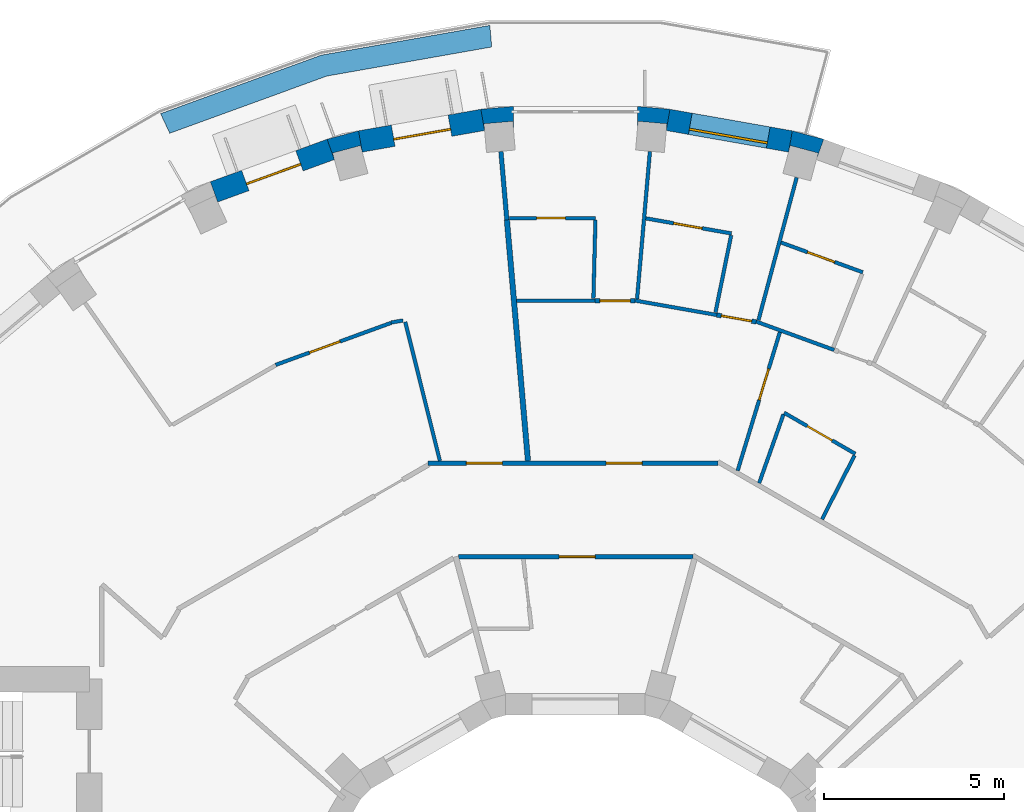
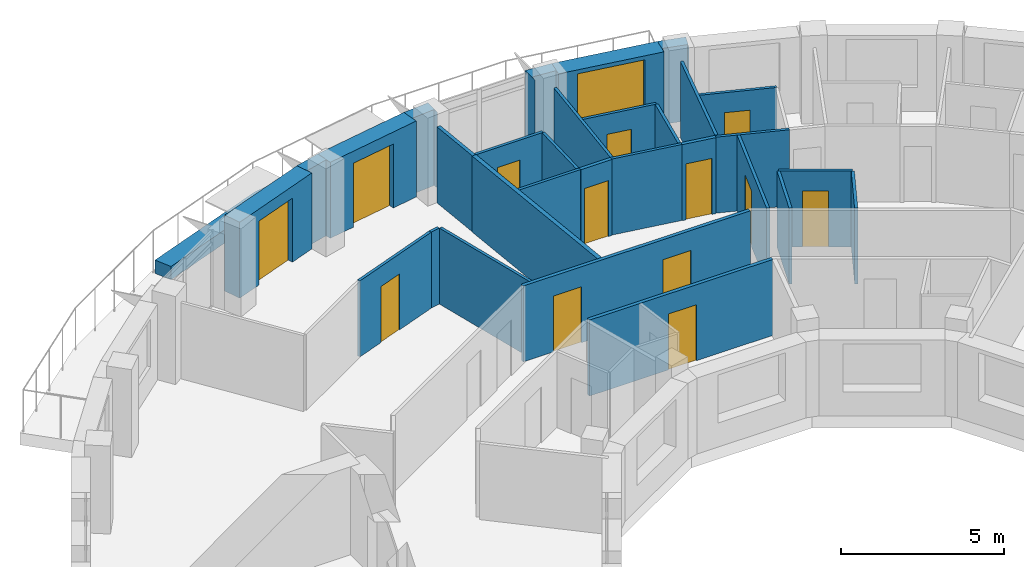
# One storey, part 11 of 14: 31 walls, 13 doors, 1 window, 14 openings.
"""IFC4 building model written with IfcOpenShell, lengths in metres."""

import ifcopenshell
import ifcopenshell.guid

model = None  # the IFC model being written
_history = None  # IfcOwnerHistory: only IFC2X3 demands one
_inside = {}  # id of a spatial element -> (the spatial element, [elements in it])
_under = {}  # id of a project, library or spatial element -> (it, [spatial elements below it])
_declared = {}  # id of a project -> (the project, [libraries it declares])
_typed = {}  # id of a type object -> (the type object, [elements of that type])
_made_of = {}  # id of a material, layer set ... -> (it, [elements and type objects made of it])


def new_model(schema):
    """Start an empty IFC model of exactly this schema.

    Asked for "IFC4X3", IfcOpenShell would pick the latest addendum, in which some entities
    have other attributes; the version numbers below select the first issue.
    IFC2X3 requires an IfcOwnerHistory on every rooted entity: one is made here for all.
    """
    global model, _history
    if schema == "IFC4X3":
        model = ifcopenshell.file(schema_version=(4, 3, 0, 0))
    else:
        model = ifcopenshell.file(schema=schema)
    _inside.clear()
    _under.clear()
    _declared.clear()
    _typed.clear()
    _made_of.clear()
    _history = None
    if model.schema == "IFC2X3":
        org = make("IfcOrganization", Name="unknown")
        user = make(
            "IfcPersonAndOrganization",
            ThePerson=make("IfcPerson", FamilyName="unknown"),
            TheOrganization=org,
        )
        app = make(
            "IfcApplication",
            ApplicationDeveloper=org,
            Version="unknown",
            ApplicationFullName="unknown",
            ApplicationIdentifier="unknown",
        )
        _history = make(
            "IfcOwnerHistory",
            OwningUser=user,
            OwningApplication=app,
            ChangeAction="ADDED",
            CreationDate=0,
        )
    return model


def make(cls, **values):
    """One entity of the class cls with the attributes given. An attribute that is None is left unset."""
    return model.create_entity(
        cls, **{name: value for name, value in values.items() if value is not None}
    )


def rooted(cls, **values):
    """An entity with a GlobalId (a new one), such as an element, a storey or a relation."""
    return make(cls, GlobalId=ifcopenshell.guid.new(), OwnerHistory=_history, **values)


def si_unit(unit_type, name, prefix=None):
    """IfcSIUnit, for example si_unit("LENGTHUNIT", "METRE", prefix="MILLI")."""
    return make("IfcSIUnit", UnitType=unit_type, Prefix=prefix, Name=name)


def assignment(units):
    """IfcUnitAssignment: the units of a project."""
    return None if units is None else make("IfcUnitAssignment", Units=units)


def point(xyz):
    """IfcCartesianPoint."""
    return None if xyz is None else make("IfcCartesianPoint", Coordinates=xyz)


def direction(xyz):
    """IfcDirection."""
    return None if xyz is None else make("IfcDirection", DirectionRatios=xyz)


def frame(location, z_axis=None, x_axis=None):
    """IfcAxis2Placement3D, a coordinate frame: its origin and axes. An axis left out is left unset."""
    return make(
        "IfcAxis2Placement3D",
        Location=point(location),
        Axis=direction(z_axis),
        RefDirection=direction(x_axis),
    )


def frame_2d(location, x_axis=None):
    """IfcAxis2Placement2D, a coordinate frame in the plane: its origin and x axis."""
    return make(
        "IfcAxis2Placement2D", Location=point(location), RefDirection=direction(x_axis)
    )


def origin():
    """The frame at (0, 0, 0) with its axes left unset."""
    return frame((0.0, 0.0, 0.0))


def place(relative_to, where):
    """IfcLocalPlacement: puts the frame where relative to a parent placement (None: the world)."""
    return make(
        "IfcLocalPlacement", PlacementRelTo=relative_to, RelativePlacement=where
    )


def context(
    kind, dimensions, precision=None, world=None, true_north=None, identifier=None
):
    """IfcGeometricRepresentationContext, for example the 3D "Model" context."""
    return make(
        "IfcGeometricRepresentationContext",
        ContextIdentifier=identifier,
        ContextType=kind,
        CoordinateSpaceDimension=dimensions,
        Precision=precision,
        WorldCoordinateSystem=world,
        TrueNorth=true_north,
    )


def subcontext(parent, identifier, kind, view, scale=None):
    """IfcGeometricRepresentationSubContext, for example "Body" below "Model"."""
    return make(
        "IfcGeometricRepresentationSubContext",
        ContextIdentifier=identifier,
        ContextType=kind,
        ParentContext=parent,
        TargetScale=scale,
        TargetView=view,
    )


def project(units=None, contexts=None):
    """IfcProject with its units and contexts."""
    return rooted(
        "IfcProject",
        Name="project",
        RepresentationContexts=contexts,
        UnitsInContext=assignment(units),
    )


def spatial(cls, under=None, at=None, **own):
    """A site, building, storey or space (cls), placed at a placement, below another one or the project."""
    s = rooted(cls, ObjectPlacement=at, **own)
    if under is not None:
        _under.setdefault(under.id(), (under, []))[1].append(s)
    return s


def polyline(points):
    """IfcPolyline through the points."""
    return make("IfcPolyline", Points=[point(p) for p in points])


def profile(cls, at=None, kind="AREA", **sizes):
    """A parametric profile (cls). Its sizes go by their IFC names, for example OverallWidth=200.0."""
    return make(cls, ProfileType=kind, Position=at, **sizes)


def rectangle(**sizes):
    """IfcRectangleProfileDef."""
    return profile("IfcRectangleProfileDef", **sizes)


def outline(outer, holes=None, kind="AREA"):
    """IfcArbitraryClosedProfileDef: a profile drawn as a closed curve; with holes, ...WithVoids."""
    if holes is None:
        return make("IfcArbitraryClosedProfileDef", ProfileType=kind, OuterCurve=outer)
    return make(
        "IfcArbitraryProfileDefWithVoids",
        ProfileType=kind,
        OuterCurve=outer,
        InnerCurves=holes,
    )


def extrude(swept, where, along, depth):
    """IfcExtrudedAreaSolid: the profile swept, set in the frame where, extruded along a direction by depth."""
    return make(
        "IfcExtrudedAreaSolid",
        SweptArea=swept,
        Position=where,
        ExtrudedDirection=direction(along),
        Depth=depth,
    )


def shape(context_of_items, identifier, shape_type, items):
    """IfcShapeRepresentation: the items that make up one representation, for example the "Body"."""
    return make(
        "IfcShapeRepresentation",
        ContextOfItems=context_of_items,
        RepresentationIdentifier=identifier,
        RepresentationType=shape_type,
        Items=items,
    )


def material(Name=None, Category=None):
    """IfcMaterial."""
    return make("IfcMaterial", Name=Name, Category=Category)


def layer(
    of_material, thickness, ventilated=None, Name=None, Category=None, Priority=None
):
    """IfcMaterialLayer: one layer of a wall or slab, of a material (None: an air gap)."""
    return make(
        "IfcMaterialLayer",
        Material=of_material,
        LayerThickness=thickness,
        IsVentilated=ventilated,
        Name=Name,
        Category=Category,
        Priority=Priority,
    )


def layer_set(layers, Name=None):
    """IfcMaterialLayerSet."""
    return make("IfcMaterialLayerSet", MaterialLayers=layers, LayerSetName=Name)


def made_of(thing, what):
    """Note that an element or type object is made of a material, layer set ...; save() writes the relation."""
    if what is not None:
        _made_of.setdefault(what.id(), (what, []))[1].append(thing)
    return thing


def type_object(cls, material=None, **own):
    """A type object (cls), such as IfcWallType, which elements share."""
    return made_of(rooted(cls, **own), material)


def element(
    cls,
    number,
    at=None,
    inside=None,
    cuts=None,
    type_object=None,
    material=None,
    context=None,
    identifier="Body",
    shape_type=None,
    held_by="IfcProductDefinitionShape",
    body=None,
    shapes=None,
    **own,
):
    """One element of the class cls, such as IfcWall. Its Tag is "e" and its number.

    at: its placement. inside: the storey or other place that contains it. cuts: it is an
    opening in that element (IfcRelVoidsElement). A single representation is given by context,
    identifier, shape_type and body (its items); several are given by shapes. held_by: the class
    of the entity that holds the representations. save() writes the other relations.
    """
    e = rooted(cls, Tag="e%d" % number, ObjectPlacement=at, **own)
    if body is not None:
        shapes = [shape(context, identifier, shape_type, body)]
    if shapes is not None:
        e.Representation = make(held_by, Representations=shapes)
    if inside is not None:
        _inside.setdefault(inside.id(), (inside, []))[1].append(e)
    if cuts is not None:
        rooted(
            "IfcRelVoidsElement", RelatingBuildingElement=cuts, RelatedOpeningElement=e
        )
    if type_object is not None:
        _typed.setdefault(type_object.id(), (type_object, []))[1].append(e)
    return made_of(e, material)


def fill(opening, filler):
    """IfcRelFillsElement: the door or window that sits in an opening."""
    return rooted(
        "IfcRelFillsElement",
        RelatingOpeningElement=opening,
        RelatedBuildingElement=filler,
    )


def aggregate(whole, parts):
    """IfcRelAggregates: a whole, such as a stair, and the parts it consists of."""
    return rooted("IfcRelAggregates", RelatingObject=whole, RelatedObjects=parts)


def save(model, path):
    """Write the relations noted so far, then the file.

    IfcRelAggregates (storeys below a building ...), IfcRelContainedInSpatialStructure (elements
    in a storey), IfcRelDefinesByType, IfcRelAssociatesMaterial and IfcRelDeclares: one each for
    every whole, place, type object, material and project.
    """
    for whole, parts in _under.values():
        aggregate(whole, parts)
    for where, things in _inside.values():
        rooted(
            "IfcRelContainedInSpatialStructure",
            RelatedElements=things,
            RelatingStructure=where,
        )
    for kind, things in _typed.values():
        rooted("IfcRelDefinesByType", RelatedObjects=things, RelatingType=kind)
    for what, things in _made_of.values():
        rooted("IfcRelAssociatesMaterial", RelatedObjects=things, RelatingMaterial=what)
    for by, libraries in _declared.values():
        rooted("IfcRelDeclares", RelatingContext=by, RelatedDefinitions=libraries)
    model.write(path)


model = new_model("IFC4")

# Units and contexts
model_context = context("Model", 3, precision=1e-05, world=origin(), true_north=direction((0.0, 1.0)))
body_context = subcontext(model_context, "Body", "Model", "MODEL_VIEW")
ifc_project = project(units=[si_unit("LENGTHUNIT", "METRE"), si_unit("AREAUNIT", "SQUARE_METRE"), si_unit("VOLUMEUNIT", "CUBIC_METRE"), si_unit("PLANEANGLEUNIT", "RADIAN"), si_unit("MASSUNIT", "GRAM", prefix="KILO")], contexts=[model_context])

# Site, building, storey
site_placement = place(None, origin())
site = spatial("IfcSite", under=ifc_project, at=site_placement, CompositionType="ELEMENT")
building_placement = place(site_placement, origin())
building = spatial("IfcBuilding", under=site, at=building_placement, Name="Saqina Gate Tower", CompositionType="ELEMENT")
storey_placement = place(building_placement, frame((0.0, 0.0, 213.60009765625)))
storey = spatial("IfcBuildingStorey", under=building, at=storey_placement, Name="L61", CompositionType="ELEMENT", Elevation=213.60009765625)

# Walls
ifc_material_1 = material(Name="Brick masonry (buff)", Category="masonry")
wall_type_1 = type_object("IfcWallType", Name="BRICK PIER COPING BUFF", PredefinedType="SOLIDWALL", material=ifc_material_1)
wall_1_placement = place(storey_placement, origin())
element("IfcWall", 1, at=wall_1_placement, inside=storey, type_object=wall_type_1, Name="Pier cap L61 column 8", PredefinedType="SOLIDWALL", context=body_context, shape_type="SweptSolid", body=[
    extrude(outline(polyline([(6.0234375, 24.22705078125), (5.919189453125, 23.635986328125), (5.967529296875, 23.81689453125), (6.740478515625, 23.610107421875), (6.69189453125, 23.428955078125), (6.897216796875, 23.992919921875), (6.0234375, 24.22705078125)])), origin(), (0.0, 0.0, 1.0), 2.849853515625),
])
wall_2_placement = place(storey_placement, origin())
element("IfcWall", 2, at=wall_2_placement, inside=storey, type_object=wall_type_1, Name="Pier cap L61 column 9", PredefinedType="SOLIDWALL", context=body_context, shape_type="SweptSolid", body=[
    extrude(outline(polyline([(2.6259765625, 24.825927734375), (1.724853515625, 24.90478515625), (1.724853515625, 24.304931640625), (1.7412109375, 24.491455078125), (2.5380859375, 24.421630859375), (2.521728515625, 24.235107421875), (2.6259765625, 24.825927734375)])), origin(), (0.0, 0.0, 1.0), 2.849853515625),
])
wall_3_placement = place(storey_placement, origin())
element("IfcWall", 3, at=wall_3_placement, inside=storey, type_object=wall_type_1, Name="Pier cap L61 column 10", PredefinedType="SOLIDWALL", context=body_context, shape_type="SweptSolid", body=[
    extrude(outline(polyline([(-1.724853515625, 24.90478515625), (-2.6259765625, 24.825927734375), (-2.521728515625, 24.235107421875), (-2.5380859375, 24.421630859375), (-1.7412109375, 24.491455078125), (-1.724853515625, 24.304931640625), (-1.724853515625, 24.90478515625)])), origin(), (0.0, 0.0, 1.0), 2.849853515625),
])
wall_4_placement = place(storey_placement, origin())
element("IfcWall", 4, at=wall_4_placement, inside=storey, type_object=wall_type_1, Name="Pier cap L61 column 11", PredefinedType="SOLIDWALL", context=body_context, shape_type="SweptSolid", body=[
    extrude(outline(polyline([(-6.0234375, 24.22705078125), (-6.897216796875, 23.992919921875), (-6.69189453125, 23.428955078125), (-6.740478515625, 23.610107421875), (-5.967529296875, 23.81689453125), (-5.919189453125, 23.635986328125), (-6.0234375, 24.22705078125)])), origin(), (0.0, 0.0, 1.0), 2.849853515625),
])

# Wall, opening, window
ifc_material_2 = material(Name="Brick masonry (buff)", Category="masonry")
ifc_layer_1 = layer(ifc_material_2, 0.60009765625)
ifc_layer_set_1 = layer_set([ifc_layer_1], Name="FW-BRICK-BUFF")
wall_type_2 = type_object("IfcWallType", Name="FW-BRICK-BUFF", PredefinedType="SOLIDWALL", material=ifc_layer_set_1)
wall_5_placement = place(storey_placement, frame((5.97119140625, 23.931640625, 0.0), z_axis=(0.0, 0.0, 1.0), x_axis=(-0.984814892183, 0.173607684551, 0.0)))
wall_5 = element("IfcWall", 5, at=wall_5_placement, inside=storey, type_object=wall_type_2, Name="Facade wall L61 facet 8", PredefinedType="SOLIDWALL", context=body_context, shape_type="SweptSolid", body=[
    extrude(rectangle(XDim=3.44970703125, YDim=0.60009765625, at=frame_2d((1.724853515625, 0.0))), origin(), (0.0, 0.0, 1.0), 2.849853515625),
])
opening_1_placement = place(wall_5_placement, frame((0.625, 0.0, 0.89990234375)))
opening_1 = element("IfcOpeningElement", 6, at=opening_1_placement, cuts=wall_5, Name="Opening G18-W06", PredefinedType="OPENING", context=body_context, shape_type="SweptSolid", body=[
    extrude(rectangle(XDim=2.199951171875, YDim=1.800048828125, at=frame_2d((1.10009765625, 0.89990234375))), frame((0.0, 0.31201171875, 0.0), z_axis=(0.0, -1.0, 0.0), x_axis=(1.0, 0.0, 0.0)), (0.0, 0.0, 1.0), 0.6240234375),
])
ifc_material_3 = material(Name="Aluminium glazing", Category="aluminium")
window_type = type_object("IfcWindowType", Name="WN-C", PartitioningType="SINGLE_PANEL", PredefinedType="WINDOW", material=ifc_material_3)
window_placement = place(opening_1_placement, origin())
window = element("IfcWindow", 7, at=window_placement, inside=storey, type_object=window_type, Name="Window L61 facet 8", OverallHeight=1.800048828125, OverallWidth=2.199951171875, PartitioningType="SINGLE_PANEL", PredefinedType="WINDOW", context=body_context, shape_type="SweptSolid", body=[
    extrude(rectangle(XDim=2.199951171875, YDim=1.800048828125, at=frame_2d((1.10009765625, 0.89990234375))), frame((0.0, 0.179931640625, 0.0), z_axis=(0.0, -1.0, 0.0), x_axis=(1.0, 0.0, 0.0)), (0.0, 0.0, 1.0), 0.06005859375),
])
fill(opening_1, window)

# Wall, opening, door
wall_6_placement = place(storey_placement, frame((-2.573974609375, 24.530517578125, 0.0), z_axis=(0.0, 0.0, 1.0), x_axis=(-0.984814892183, -0.173607684551, 0.0)))
wall_6 = element("IfcWall", 8, at=wall_6_placement, inside=storey, type_object=wall_type_2, Name="Facade wall L61 facet 10", PredefinedType="SOLIDWALL", context=body_context, shape_type="SweptSolid", body=[
    extrude(rectangle(XDim=3.44970703125, YDim=0.60009765625, at=frame_2d((1.724853515625, 0.0))), origin(), (0.0, 0.0, 1.0), 2.849853515625),
])
opening_2_placement = place(wall_6_placement, frame((0.9248046875, 0.0, 0.0)))
opening_2 = element("IfcOpeningElement", 9, at=opening_2_placement, cuts=wall_6, Name="Opening G18-D80", PredefinedType="OPENING", context=body_context, shape_type="SweptSolid", body=[
    extrude(rectangle(XDim=1.60009765625, YDim=2.39990234375, at=frame_2d((0.800048828125, 1.199951171875))), frame((0.0, 0.31201171875, 0.0), z_axis=(0.0, -1.0, 0.0), x_axis=(1.0, 0.0, 0.0)), (0.0, 0.0, 1.0), 0.6240234375),
])
ifc_material_4 = material(Name="Aluminium glazing", Category="aluminium")
door_type_1 = type_object("IfcDoorType", Name="GD-C", OperationType="DOUBLE_DOOR_SINGLE_SWING", PredefinedType="DOOR", material=ifc_material_4)
door_1_placement = place(opening_2_placement, origin())
door_1 = element("IfcDoor", 10, at=door_1_placement, inside=storey, type_object=door_type_1, Name="Terrace door L61 facet 10", OperationType="DOUBLE_DOOR_SINGLE_SWING", OverallHeight=2.39990234375, OverallWidth=1.60009765625, PredefinedType="DOOR", context=body_context, shape_type="SweptSolid", body=[
    extrude(rectangle(XDim=1.60009765625, YDim=2.39990234375, at=frame_2d((0.800048828125, 1.199951171875))), frame((0.0, 0.125, 0.0), z_axis=(0.0, -1.0, 0.0), x_axis=(1.0, 0.0, 0.0)), (0.0, 0.0, 1.0), 0.050048828125),
])
fill(opening_2, door_1)

wall_7_placement = place(storey_placement, frame((-6.79443359375, 23.7109375, 0.0), z_axis=(0.0, 0.0, 1.0), x_axis=(-0.93968799822, -0.342032843455, 0.0)))
wall_7 = element("IfcWall", 11, at=wall_7_placement, inside=storey, type_object=wall_type_2, Name="Facade wall L61 facet 11", PredefinedType="SOLIDWALL", context=body_context, shape_type="SweptSolid", body=[
    extrude(rectangle(XDim=3.44970703125, YDim=0.60009765625, at=frame_2d((1.724853515625, 0.0))), origin(), (0.0, 0.0, 1.0), 2.849853515625),
])
opening_3_placement = place(wall_7_placement, frame((0.9248046875, 0.0, 0.0)))
opening_3 = element("IfcOpeningElement", 12, at=opening_3_placement, cuts=wall_7, Name="Opening G18-D81", PredefinedType="OPENING", context=body_context, shape_type="SweptSolid", body=[
    extrude(rectangle(XDim=1.60009765625, YDim=2.39990234375, at=frame_2d((0.800048828125, 1.199951171875))), frame((0.0, 0.31201171875, 0.0), z_axis=(0.0, -1.0, 0.0), x_axis=(1.0, 0.0, 0.0)), (0.0, 0.0, 1.0), 0.6240234375),
])
door_2_placement = place(opening_3_placement, origin())
door_2 = element("IfcDoor", 13, at=door_2_placement, inside=storey, type_object=door_type_1, Name="Terrace door L61 facet 11", OperationType="DOUBLE_DOOR_SINGLE_SWING", OverallHeight=2.39990234375, OverallWidth=1.60009765625, PredefinedType="DOOR", context=body_context, shape_type="SweptSolid", body=[
    extrude(rectangle(XDim=1.60009765625, YDim=2.39990234375, at=frame_2d((0.800048828125, 1.199951171875))), frame((0.0, 0.125, 0.0), z_axis=(0.0, -1.0, 0.0), x_axis=(1.0, 0.0, 0.0)), (0.0, 0.0, 1.0), 0.050048828125),
])
fill(opening_3, door_2)

# Wall
ifc_material_5 = material(Name="Gypsum board on steel studs, 100 mm", Category="steel")
ifc_layer_2 = layer(ifc_material_5, 0.10009765625)
ifc_layer_set_2 = layer_set([ifc_layer_2], Name="PARTITION 100")
wall_type_3 = type_object("IfcWallType", Name="PARTITION 100", PredefinedType="PARTITIONING", material=ifc_layer_set_2)
wall_8_placement = place(storey_placement, frame((-4.726806640625, 18.92041015625, 0.0), z_axis=(0.0, 0.0, 1.0), x_axis=(0.242333473665, -0.970193015611, 0.0)))
element("IfcWall", 14, at=wall_8_placement, inside=storey, type_object=wall_type_3, Name="PARTITION PW3-04", PredefinedType="PARTITIONING", context=body_context, shape_type="SweptSolid", body=[
    extrude(rectangle(XDim=3.978515625, YDim=0.10009765625, at=frame_2d((1.9892578125, 0.0))), origin(), (0.0, 0.0, 1.0), 2.849853515625),
])

# Wall, opening, door
wall_9_placement = place(storey_placement, frame((5.795654296875, 16.39892578125, 0.0), z_axis=(0.0, 0.0, 1.0), x_axis=(0.866084140742, -0.499898250802, 0.0)))
wall_9 = element("IfcWall", 15, at=wall_9_placement, inside=storey, type_object=wall_type_3, Name="PARTITION PW3-30", PredefinedType="PARTITIONING", context=body_context, shape_type="SweptSolid", body=[
    extrude(rectangle(XDim=2.2841796875, YDim=0.10009765625, at=frame_2d((1.14208984375, 0.0))), origin(), (0.0, 0.0, 1.0), 2.849853515625),
])
opening_4_placement = place(wall_9_placement, frame((0.7412109375, 0.0, 0.0)))
opening_4 = element("IfcOpeningElement", 16, at=opening_4_placement, cuts=wall_9, Name="Opening G18-D09", PredefinedType="OPENING", context=body_context, shape_type="SweptSolid", body=[
    extrude(rectangle(XDim=0.800048828125, YDim=2.10009765625, at=frame_2d((0.39990234375, 1.050048828125))), frame((0.0, 0.06201171875, 0.0), z_axis=(0.0, -1.0, 0.0), x_axis=(1.0, 0.0, 0.0)), (0.0, 0.0, 1.0), 0.1240234375),
])
ifc_material_6 = material(Name="Timber door leaf, 800 mm", Category="wood")
door_type_2 = type_object("IfcDoorType", Name="DOOR 800 TIMBER", OperationType="SINGLE_SWING_LEFT", PredefinedType="DOOR", material=ifc_material_6)
door_3_placement = place(opening_4_placement, origin())
door_3 = element("IfcDoor", 17, at=door_3_placement, inside=storey, type_object=door_type_2, Name="DOOR G18-D09", OperationType="SINGLE_SWING_LEFT", OverallHeight=2.10009765625, OverallWidth=0.800048828125, PredefinedType="DOOR", context=body_context, shape_type="SweptSolid", body=[
    extrude(rectangle(XDim=0.800048828125, YDim=2.10009765625, at=frame_2d((0.39990234375, 1.050048828125))), frame((0.0, 0.02490234375, 0.0), z_axis=(0.0, -1.0, 0.0), x_axis=(1.0, 0.0, 0.0)), (0.0, 0.0, 1.0), 0.050048828125),
])
fill(opening_4, door_3)

# Wall
wall_10_placement = place(storey_placement, frame((5.020263671875, 18.929443359375, 0.0), z_axis=(0.0, 0.0, 1.0), x_axis=(0.939651079277, -0.342134256123, 0.0)))
element("IfcWall", 18, at=wall_10_placement, inside=storey, type_object=wall_type_3, Name="PARTITION PW3-36", PredefinedType="PARTITIONING", context=body_context, shape_type="SweptSolid", body=[
    extrude(rectangle(XDim=2.304931640625, YDim=0.10009765625, at=frame_2d((1.15234375, 0.0))), origin(), (0.0, 0.0, 1.0), 2.849853515625),
])

# Wall, opening, door
wall_11_placement = place(storey_placement, frame((5.71240234375, 21.124755859375, 0.0), z_axis=(0.0, 0.0, 1.0), x_axis=(0.939692991858, -0.342019123812, 0.0)))
wall_11 = element("IfcWall", 19, at=wall_11_placement, inside=storey, type_object=wall_type_3, Name="PARTITION PW3-37", PredefinedType="PARTITIONING", context=body_context, shape_type="SweptSolid", body=[
    extrude(rectangle(XDim=2.4140625, YDim=0.10009765625, at=frame_2d((1.20703125, 0.0))), origin(), (0.0, 0.0, 1.0), 2.849853515625),
])
opening_5_placement = place(wall_11_placement, frame((0.78173828125, 0.0, 0.0)))
opening_5 = element("IfcOpeningElement", 20, at=opening_5_placement, cuts=wall_11, Name="Opening G18-D11", PredefinedType="OPENING", context=body_context, shape_type="SweptSolid", body=[
    extrude(rectangle(XDim=0.800048828125, YDim=2.10009765625, at=frame_2d((0.39990234375, 1.050048828125))), frame((0.0, 0.06201171875, 0.0), z_axis=(0.0, -1.0, 0.0), x_axis=(1.0, 0.0, 0.0)), (0.0, 0.0, 1.0), 0.1240234375),
])
door_4_placement = place(opening_5_placement, origin())
door_4 = element("IfcDoor", 21, at=door_4_placement, inside=storey, type_object=door_type_2, Name="DOOR G18-D11", OperationType="SINGLE_SWING_LEFT", OverallHeight=2.10009765625, OverallWidth=0.800048828125, PredefinedType="DOOR", context=body_context, shape_type="SweptSolid", body=[
    extrude(rectangle(XDim=0.800048828125, YDim=2.10009765625, at=frame_2d((0.39990234375, 1.050048828125))), frame((0.0, 0.02490234375, 0.0), z_axis=(0.0, -1.0, 0.0), x_axis=(1.0, 0.0, 0.0)), (0.0, 0.0, 1.0), 0.050048828125),
])
fill(opening_5, door_4)

# Wall
wall_12_placement = place(storey_placement, frame((1.656005859375, 19.513916015625, 0.0), z_axis=(0.0, 0.0, 1.0), x_axis=(0.984783558818, -0.173785333909, 0.0)))
element("IfcWall", 22, at=wall_12_placement, inside=storey, type_object=wall_type_3, Name="PARTITION PW3-40", PredefinedType="PARTITIONING", context=body_context, shape_type="SweptSolid", body=[
    extrude(rectangle(XDim=2.305419921875, YDim=0.10009765625, at=frame_2d((1.15283203125, 0.0))), origin(), (0.0, 0.0, 1.0), 2.849853515625),
])

# Wall, opening, door
wall_13_placement = place(storey_placement, frame((1.957275390625, 21.79638671875, 0.0), z_axis=(0.0, 0.0, 1.0), x_axis=(0.984794754479, -0.173721879884, 0.0)))
wall_13 = element("IfcWall", 23, at=wall_13_placement, inside=storey, type_object=wall_type_3, Name="PARTITION PW3-41", PredefinedType="PARTITIONING", context=body_context, shape_type="SweptSolid", body=[
    extrude(rectangle(XDim=2.414306640625, YDim=0.10009765625, at=frame_2d((1.20703125, 0.0))), origin(), (0.0, 0.0, 1.0), 2.849853515625),
])
opening_6_placement = place(wall_13_placement, frame((0.7822265625, 0.0, 0.0)))
opening_6 = element("IfcOpeningElement", 24, at=opening_6_placement, cuts=wall_13, Name="Opening G18-D14", PredefinedType="OPENING", context=body_context, shape_type="SweptSolid", body=[
    extrude(rectangle(XDim=0.800048828125, YDim=2.10009765625, at=frame_2d((0.39990234375, 1.050048828125))), frame((0.0, 0.06201171875, 0.0), z_axis=(0.0, -1.0, 0.0), x_axis=(1.0, 0.0, 0.0)), (0.0, 0.0, 1.0), 0.1240234375),
])
door_5_placement = place(opening_6_placement, origin())
door_5 = element("IfcDoor", 25, at=door_5_placement, inside=storey, type_object=door_type_2, Name="DOOR G18-D14", OperationType="SINGLE_SWING_LEFT", OverallHeight=2.10009765625, OverallWidth=0.800048828125, PredefinedType="DOOR", context=body_context, shape_type="SweptSolid", body=[
    extrude(rectangle(XDim=0.800048828125, YDim=2.10009765625, at=frame_2d((0.39990234375, 1.050048828125))), frame((0.0, 0.02490234375, 0.0), z_axis=(0.0, -1.0, 0.0), x_axis=(1.0, 0.0, 0.0)), (0.0, 0.0, 1.0), 0.050048828125),
])
fill(opening_6, door_5)

# Wall
wall_14_placement = place(storey_placement, frame((-1.631103515625, 19.5048828125, 0.0), z_axis=(0.0, 0.0, 1.0), x_axis=(1.0, 0.0, 0.0)))
element("IfcWall", 26, at=wall_14_placement, inside=storey, type_object=wall_type_3, Name="PARTITION PW3-46", PredefinedType="PARTITIONING", context=body_context, shape_type="SweptSolid", body=[
    extrude(rectangle(XDim=2.17919921875, YDim=0.10009765625, at=frame_2d((1.089599609375, 0.0))), origin(), (0.0, 0.0, 1.0), 2.849853515625),
])

# Wall, opening, door
wall_15_placement = place(storey_placement, frame((-1.8330078125, 21.804931640625, 0.0), z_axis=(0.0, 0.0, 1.0), x_axis=(1.0, 0.0, 0.0)))
wall_15 = element("IfcWall", 27, at=wall_15_placement, inside=storey, type_object=wall_type_3, Name="PARTITION PW3-47", PredefinedType="PARTITIONING", context=body_context, shape_type="SweptSolid", body=[
    extrude(rectangle(XDim=2.389892578125, YDim=0.10009765625, at=frame_2d((1.19482421875, 0.0))), origin(), (0.0, 0.0, 1.0), 2.849853515625),
])
opening_7_placement = place(wall_15_placement, frame((0.757568359375, 0.0, 0.0)))
opening_7 = element("IfcOpeningElement", 28, at=opening_7_placement, cuts=wall_15, Name="Opening G18-D18", PredefinedType="OPENING", context=body_context, shape_type="SweptSolid", body=[
    extrude(rectangle(XDim=0.800048828125, YDim=2.10009765625, at=frame_2d((0.39990234375, 1.050048828125))), frame((0.0, 0.06201171875, 0.0), z_axis=(0.0, -1.0, 0.0), x_axis=(1.0, 0.0, 0.0)), (0.0, 0.0, 1.0), 0.1240234375),
])
door_6_placement = place(opening_7_placement, origin())
door_6 = element("IfcDoor", 29, at=door_6_placement, inside=storey, type_object=door_type_2, Name="DOOR G18-D18", OperationType="SINGLE_SWING_LEFT", OverallHeight=2.10009765625, OverallWidth=0.800048828125, PredefinedType="DOOR", context=body_context, shape_type="SweptSolid", body=[
    extrude(rectangle(XDim=0.800048828125, YDim=2.10009765625, at=frame_2d((0.39990234375, 1.050048828125))), frame((0.0, 0.02490234375, 0.0), z_axis=(0.0, -1.0, 0.0), x_axis=(1.0, 0.0, 0.0)), (0.0, 0.0, 1.0), 0.050048828125),
])
fill(opening_7, door_6)

# Wall
wall_16_placement = place(storey_placement, frame((-5.117919921875, 18.903076171875, 0.0), z_axis=(0.0, 0.0, 1.0), x_axis=(0.984687952064, 0.174326237439, 0.0)))
element("IfcWall", 30, at=wall_16_placement, inside=storey, type_object=wall_type_3, Name="PARTITION PW3-49", PredefinedType="PARTITIONING", context=body_context, shape_type="SweptSolid", body=[
    extrude(rectangle(XDim=0.334716796875, YDim=0.10009765625, at=frame_2d((0.16748046875, 0.0))), origin(), (0.0, 0.0, 1.0), 2.849853515625),
])

# Wall, opening, door
wall_17_placement = place(storey_placement, frame((-8.32470703125, 17.7265625, 0.0), z_axis=(0.0, 0.0, 1.0), x_axis=(0.939672327812, 0.342075892668, 0.0)))
wall_17 = element("IfcWall", 31, at=wall_17_placement, inside=storey, type_object=wall_type_3, Name="PARTITION PW3-52", PredefinedType="PARTITIONING", context=body_context, shape_type="SweptSolid", body=[
    extrude(rectangle(XDim=3.415771484375, YDim=0.10009765625, at=frame_2d((1.7080078125, 0.0))), origin(), (0.0, 0.0, 1.0), 2.849853515625),
])
opening_8_placement = place(wall_17_placement, frame((1.00390625, 0.0, 0.0)))
opening_8 = element("IfcOpeningElement", 32, at=opening_8_placement, cuts=wall_17, Name="Opening G18-D22", PredefinedType="OPENING", context=body_context, shape_type="SweptSolid", body=[
    extrude(rectangle(XDim=0.89990234375, YDim=2.10009765625, at=frame_2d((0.449951171875, 1.050048828125))), frame((0.0, 0.06201171875, 0.0), z_axis=(0.0, -1.0, 0.0), x_axis=(1.0, 0.0, 0.0)), (0.0, 0.0, 1.0), 0.1240234375),
])
ifc_material_7 = material(Name="Timber door leaf, 900 mm", Category="wood")
door_type_3 = type_object("IfcDoorType", Name="DOOR 900 TIMBER", OperationType="SINGLE_SWING_LEFT", PredefinedType="DOOR", material=ifc_material_7)
door_7_placement = place(opening_8_placement, frame((0.89990234375, 0.0, 0.0), z_axis=(0.0, 0.0, 1.0), x_axis=(-1.0, 0.0, 0.0)))
door_7 = element("IfcDoor", 33, at=door_7_placement, inside=storey, type_object=door_type_3, Name="DOOR G18-D22", OperationType="SINGLE_SWING_RIGHT", OverallHeight=2.10009765625, OverallWidth=0.89990234375, PredefinedType="DOOR", context=body_context, shape_type="SweptSolid", body=[
    extrude(rectangle(XDim=0.89990234375, YDim=2.10009765625, at=frame_2d((0.449951171875, 1.050048828125))), frame((0.0, 0.02490234375, 0.0), z_axis=(0.0, -1.0, 0.0), x_axis=(1.0, 0.0, 0.0)), (0.0, 0.0, 1.0), 0.050048828125),
])
fill(opening_8, door_7)

# Walls
wall_18_placement = place(storey_placement, frame((6.84765625, 13.439208984375, 0.0), z_axis=(0.0, 0.0, 1.0), x_axis=(0.454028802768, 0.890987006784, 0.0)))
element("IfcWall", 34, at=wall_18_placement, inside=storey, type_object=wall_type_3, Name="PARTITION PW3-77", PredefinedType="PARTITIONING", context=body_context, shape_type="SweptSolid", body=[
    extrude(rectangle(XDim=1.988037109375, YDim=0.10009765625, at=frame_2d((0.994140625, 0.0))), origin(), (0.0, 0.0, 1.0), 2.849853515625),
])
wall_19_placement = place(storey_placement, frame((5.10302734375, 14.4453125, 0.0), z_axis=(0.0, 0.0, 1.0), x_axis=(0.333281339962, 0.942827422402, 0.0)))
element("IfcWall", 35, at=wall_19_placement, inside=storey, type_object=wall_type_3, Name="PARTITION PW3-84", PredefinedType="PARTITIONING", context=body_context, shape_type="SweptSolid", body=[
    extrude(rectangle(XDim=2.02099609375, YDim=0.10009765625, at=frame_2d((1.010498046875, 0.0))), origin(), (0.0, 0.0, 1.0), 2.849853515625),
])

# Wall, opening, door
wall_20_placement = place(storey_placement, frame((4.5048828125, 14.789794921875, 0.0), z_axis=(0.0, 0.0, 1.0), x_axis=(0.291610860107, 0.956537038628, 0.0)))
wall_20 = element("IfcWall", 36, at=wall_20_placement, inside=storey, type_object=wall_type_3, Name="PARTITION PW3-85", PredefinedType="PARTITIONING", context=body_context, shape_type="SweptSolid", body=[
    extrude(rectangle(XDim=4.02197265625, YDim=0.10009765625, at=frame_2d((2.010986328125, 0.0))), origin(), (0.0, 0.0, 1.0), 2.849853515625),
])
opening_9_placement = place(wall_20_placement, frame((2.0546875, 0.0, 0.0)))
opening_9 = element("IfcOpeningElement", 37, at=opening_9_placement, cuts=wall_20, Name="Opening G18-D12", PredefinedType="OPENING", context=body_context, shape_type="SweptSolid", body=[
    extrude(rectangle(XDim=0.89990234375, YDim=2.10009765625, at=frame_2d((0.449951171875, 1.050048828125))), frame((0.0, 0.06201171875, 0.0), z_axis=(0.0, -1.0, 0.0), x_axis=(1.0, 0.0, 0.0)), (0.0, 0.0, 1.0), 0.1240234375),
])
door_8_placement = place(opening_9_placement, frame((0.89990234375, 0.0, 0.0), z_axis=(0.0, 0.0, 1.0), x_axis=(-1.0, 0.0, 0.0)))
door_8 = element("IfcDoor", 38, at=door_8_placement, inside=storey, type_object=door_type_3, Name="DOOR G18-D12", OperationType="SINGLE_SWING_RIGHT", OverallHeight=2.10009765625, OverallWidth=0.89990234375, PredefinedType="DOOR", context=body_context, shape_type="SweptSolid", body=[
    extrude(rectangle(XDim=0.89990234375, YDim=2.10009765625, at=frame_2d((0.449951171875, 1.050048828125))), frame((0.0, 0.02490234375, 0.0), z_axis=(0.0, -1.0, 0.0), x_axis=(1.0, 0.0, 0.0)), (0.0, 0.0, 1.0), 0.050048828125),
])
fill(opening_9, door_8)

# Walls
wall_21_placement = place(storey_placement, frame((5.084228515625, 18.972412109375, 0.0), z_axis=(0.0, 0.0, 1.0), x_axis=(0.258608038295, 0.965982340692, 0.0)))
element("IfcWall", 39, at=wall_21_placement, inside=storey, type_object=wall_type_3, Name="PARTITION PW3-87", PredefinedType="PARTITIONING", context=body_context, shape_type="SweptSolid", body=[
    extrude(rectangle(XDim=4.09814453125, YDim=0.10009765625, at=frame_2d((2.049072265625, 0.0))), origin(), (0.0, 0.0, 1.0), 2.849853515625),
])
wall_22_placement = place(storey_placement, frame((3.889404296875, 19.183349609375, 0.0), z_axis=(0.0, 0.0, 1.0), x_axis=(0.199033137994, 0.979992760167, 0.0)))
element("IfcWall", 40, at=wall_22_placement, inside=storey, type_object=wall_type_3, Name="PARTITION PW3-89", PredefinedType="PARTITIONING", context=body_context, shape_type="SweptSolid", body=[
    extrude(rectangle(XDim=2.188232421875, YDim=0.10009765625, at=frame_2d((1.09423828125, 0.0))), origin(), (0.0, 0.0, 1.0), 2.849853515625),
])
wall_23_placement = place(storey_placement, frame((1.711669921875, 19.5546875, 0.0), z_axis=(0.0, 0.0, 1.0), x_axis=(0.086893599578, 0.996217597893, 0.0)))
element("IfcWall", 41, at=wall_23_placement, inside=storey, type_object=wall_type_3, Name="PARTITION PW3-91", PredefinedType="PARTITIONING", context=body_context, shape_type="SweptSolid", body=[
    extrude(rectangle(XDim=4.110595703125, YDim=0.10009765625, at=frame_2d((2.05517578125, 0.0))), origin(), (0.0, 0.0, 1.0), 2.849853515625),
])
wall_24_placement = place(storey_placement, frame((0.49951171875, 19.5673828125, 0.0), z_axis=(0.0, 0.0, 1.0), x_axis=(0.025658328011, 0.999670770906, 0.0)))
element("IfcWall", 42, at=wall_24_placement, inside=storey, type_object=wall_type_3, Name="PARTITION PW3-93", PredefinedType="PARTITIONING", context=body_context, shape_type="SweptSolid", body=[
    extrude(rectangle(XDim=2.1884765625, YDim=0.10009765625, at=frame_2d((1.09423828125, 0.0))), origin(), (0.0, 0.0, 1.0), 2.849853515625),
])
ifc_material_8 = material(Name="Gypsum board on steel studs, 125 mm, fire rated", Category="steel")
ifc_layer_3 = layer(ifc_material_8, 0.125)
ifc_layer_set_3 = layer_set([ifc_layer_3], Name="PARTITION EI 30 125")
wall_type_4 = type_object("IfcWallType", Name="PARTITION EI 30 125", PredefinedType="PARTITIONING", material=ifc_layer_set_3)
wall_25_placement = place(storey_placement, frame((-2.06884765625, 23.649658203125, 0.0), z_axis=(0.0, 0.0, 1.0), x_axis=(0.086912141591, -0.99621598042, 0.0)))
element("IfcWall", 43, at=wall_25_placement, inside=storey, type_object=wall_type_4, Name="PARTITION PW1-01", PredefinedType="PARTITIONING", context=body_context, shape_type="SweptSolid", body=[
    extrude(rectangle(XDim=1.901611328125, YDim=0.125, at=frame_2d((0.95068359375, 0.0))), origin(), (0.0, 0.0, 1.0), 2.849853515625),
])

# Wall, opening, door
wall_26_placement = place(storey_placement, frame((3.92626953125, 19.11328125, 0.0), z_axis=(0.0, 0.0, 1.0), x_axis=(0.984810132848, -0.173634680406, 0.0)))
wall_26 = element("IfcWall", 44, at=wall_26_placement, inside=storey, type_object=wall_type_4, Name="PARTITION PW1-26", PredefinedType="PARTITIONING", context=body_context, shape_type="SweptSolid", body=[
    extrude(rectangle(XDim=1.109375, YDim=0.125, at=frame_2d((0.5546875, 0.0))), origin(), (0.0, 0.0, 1.0), 2.849853515625),
])
opening_10_placement = place(wall_26_placement, frame((0.129638671875, 0.0, 0.0)))
opening_10 = element("IfcOpeningElement", 45, at=opening_10_placement, cuts=wall_26, Name="Opening G18-D13", PredefinedType="OPENING", context=body_context, shape_type="SweptSolid", body=[
    extrude(rectangle(XDim=0.85009765625, YDim=2.10009765625, at=frame_2d((0.425048828125, 1.050048828125))), frame((0.0, 0.074462890625, 0.0), z_axis=(0.0, -1.0, 0.0), x_axis=(1.0, 0.0, 0.0)), (0.0, 0.0, 1.0), 0.14892578125),
])
ifc_material_9 = material(Name="Fire door leaf EI 30, 850 mm")
door_type_4 = type_object("IfcDoorType", Name="DOOR 850 EI 30", OperationType="SINGLE_SWING_LEFT", PredefinedType="DOOR", material=ifc_material_9)
door_9_placement = place(opening_10_placement, frame((0.85009765625, 0.0, 0.0), z_axis=(0.0, 0.0, 1.0), x_axis=(-1.0, 0.0, 0.0)))
door_9 = element("IfcDoor", 46, at=door_9_placement, inside=storey, type_object=door_type_4, Name="DOOR G18-D13", OperationType="SINGLE_SWING_LEFT", OverallHeight=2.10009765625, OverallWidth=0.85009765625, PredefinedType="DOOR", context=body_context, shape_type="SweptSolid", body=[
    extrude(rectangle(XDim=0.85009765625, YDim=2.10009765625, at=frame_2d((0.425048828125, 1.050048828125))), frame((0.0, 0.02490234375, 0.0), z_axis=(0.0, -1.0, 0.0), x_axis=(1.0, 0.0, 0.0)), (0.0, 0.0, 1.0), 0.050048828125),
])
fill(opening_10, door_9)

wall_27_placement = place(storey_placement, frame((-3.248046875, 12.39990234375, 0.0), z_axis=(0.0, 0.0, 1.0), x_axis=(1.0, 0.0, 0.0)))
wall_27 = element("IfcWall", 47, at=wall_27_placement, inside=storey, type_object=wall_type_4, Name="PARTITION PW1-30", PredefinedType="PARTITIONING", context=body_context, shape_type="SweptSolid", body=[
    extrude(rectangle(XDim=6.508544921875, YDim=0.125, at=frame_2d((3.25439453125, 0.0))), origin(), (0.0, 0.0, 1.0), 2.849853515625),
])
opening_11_placement = place(wall_27_placement, frame((2.798583984375, 0.0, 0.0)))
opening_11 = element("IfcOpeningElement", 48, at=opening_11_placement, cuts=wall_27, Name="Opening G18-D17", PredefinedType="OPENING", context=body_context, shape_type="SweptSolid", body=[
    extrude(rectangle(XDim=1.0, YDim=2.10009765625, at=frame_2d((0.5, 1.050048828125))), frame((0.0, 0.074462890625, 0.0), z_axis=(0.0, -1.0, 0.0), x_axis=(1.0, 0.0, 0.0)), (0.0, 0.0, 1.0), 0.14892578125),
])
ifc_material_10 = material(Name="Fire door leaf EI 30, 1000 mm")
door_type_5 = type_object("IfcDoorType", Name="DOOR 1000 EI 30", OperationType="SINGLE_SWING_LEFT", PredefinedType="DOOR", material=ifc_material_10)
door_10_placement = place(opening_11_placement, frame((1.0, 0.0, 0.0), z_axis=(0.0, 0.0, 1.0), x_axis=(-1.0, 0.0, 0.0)))
door_10 = element("IfcDoor", 49, at=door_10_placement, inside=storey, type_object=door_type_5, Name="DOOR G18-D17", OperationType="SINGLE_SWING_LEFT", OverallHeight=2.10009765625, OverallWidth=1.0, PredefinedType="DOOR", context=body_context, shape_type="SweptSolid", body=[
    extrude(rectangle(XDim=1.0, YDim=2.10009765625, at=frame_2d((0.5, 1.050048828125))), frame((0.0, 0.02490234375, 0.0), z_axis=(0.0, -1.0, 0.0), x_axis=(1.0, 0.0, 0.0)), (0.0, 0.0, 1.0), 0.050048828125),
])
fill(opening_11, door_10)

# Wall, openings, doors
wall_28_placement = place(storey_placement, frame((-4.091064453125, 15.0, 0.0), z_axis=(0.0, 0.0, 1.0), x_axis=(1.0, 0.0, 0.0)))
wall_28 = element("IfcWall", 50, at=wall_28_placement, inside=storey, type_object=wall_type_4, Name="PARTITION PW1-31", PredefinedType="PARTITIONING", context=body_context, shape_type="SweptSolid", body=[
    extrude(rectangle(XDim=8.047607421875, YDim=0.125, at=frame_2d((4.02392578125, 0.0))), origin(), (0.0, 0.0, 1.0), 2.849853515625),
])
opening_12_placement = place(wall_28_placement, frame((4.944580078125, 0.0, 0.0)))
opening_12 = element("IfcOpeningElement", 51, at=opening_12_placement, cuts=wall_28, Name="Opening G18-D15", PredefinedType="OPENING", context=body_context, shape_type="SweptSolid", body=[
    extrude(rectangle(XDim=1.0, YDim=2.10009765625, at=frame_2d((0.5, 1.050048828125))), frame((0.0, 0.074462890625, 0.0), z_axis=(0.0, -1.0, 0.0), x_axis=(1.0, 0.0, 0.0)), (0.0, 0.0, 1.0), 0.14892578125),
])
opening_13_placement = place(wall_28_placement, frame((1.0615234375, 0.0, 0.0)))
opening_13 = element("IfcOpeningElement", 52, at=opening_13_placement, cuts=wall_28, Name="Opening G18-D20", PredefinedType="OPENING", context=body_context, shape_type="SweptSolid", body=[
    extrude(rectangle(XDim=1.0, YDim=2.10009765625, at=frame_2d((0.5, 1.050048828125))), frame((0.0, 0.074462890625, 0.0), z_axis=(0.0, -1.0, 0.0), x_axis=(1.0, 0.0, 0.0)), (0.0, 0.0, 1.0), 0.14892578125),
])
door_11_placement = place(opening_12_placement, origin())
door_11 = element("IfcDoor", 53, at=door_11_placement, inside=storey, type_object=door_type_5, Name="DOOR G18-D15", OperationType="SINGLE_SWING_RIGHT", OverallHeight=2.10009765625, OverallWidth=1.0, PredefinedType="DOOR", context=body_context, shape_type="SweptSolid", body=[
    extrude(rectangle(XDim=1.0, YDim=2.10009765625, at=frame_2d((0.5, 1.050048828125))), frame((0.0, 0.02490234375, 0.0), z_axis=(0.0, -1.0, 0.0), x_axis=(1.0, 0.0, 0.0)), (0.0, 0.0, 1.0), 0.050048828125),
])
fill(opening_12, door_11)
door_12_placement = place(opening_13_placement, origin())
door_12 = element("IfcDoor", 54, at=door_12_placement, inside=storey, type_object=door_type_5, Name="DOOR G18-D20", OperationType="SINGLE_SWING_RIGHT", OverallHeight=2.10009765625, OverallWidth=1.0, PredefinedType="DOOR", context=body_context, shape_type="SweptSolid", body=[
    extrude(rectangle(XDim=1.0, YDim=2.10009765625, at=frame_2d((0.5, 1.050048828125))), frame((0.0, 0.02490234375, 0.0), z_axis=(0.0, -1.0, 0.0), x_axis=(1.0, 0.0, 0.0)), (0.0, 0.0, 1.0), 0.050048828125),
])
fill(opening_13, door_12)

# Wall, opening, door
wall_29_placement = place(storey_placement, frame((0.548095703125, 19.5048828125, 0.0), z_axis=(0.0, 0.0, 1.0), x_axis=(1.0, 0.0, 0.0)))
wall_29 = element("IfcWall", 55, at=wall_29_placement, inside=storey, type_object=wall_type_4, Name="PARTITION PW1-32", PredefinedType="PARTITIONING", context=body_context, shape_type="SweptSolid", body=[
    extrude(rectangle(XDim=1.10791015625, YDim=0.125, at=frame_2d((0.553955078125, 0.0))), origin(), (0.0, 0.0, 1.0), 2.849853515625),
])
opening_14_placement = place(wall_29_placement, frame((0.12890625, 0.0, 0.0)))
opening_14 = element("IfcOpeningElement", 56, at=opening_14_placement, cuts=wall_29, Name="Opening G18-D16", PredefinedType="OPENING", context=body_context, shape_type="SweptSolid", body=[
    extrude(rectangle(XDim=0.85009765625, YDim=2.10009765625, at=frame_2d((0.425048828125, 1.050048828125))), frame((0.0, 0.074462890625, 0.0), z_axis=(0.0, -1.0, 0.0), x_axis=(1.0, 0.0, 0.0)), (0.0, 0.0, 1.0), 0.14892578125),
])
door_13_placement = place(opening_14_placement, frame((0.85009765625, 0.0, 0.0), z_axis=(0.0, 0.0, 1.0), x_axis=(-1.0, 0.0, 0.0)))
door_13 = element("IfcDoor", 57, at=door_13_placement, inside=storey, type_object=door_type_4, Name="DOOR G18-D16", OperationType="SINGLE_SWING_LEFT", OverallHeight=2.10009765625, OverallWidth=0.85009765625, PredefinedType="DOOR", context=body_context, shape_type="SweptSolid", body=[
    extrude(rectangle(XDim=0.85009765625, YDim=2.10009765625, at=frame_2d((0.425048828125, 1.050048828125))), frame((0.0, 0.02490234375, 0.0), z_axis=(0.0, -1.0, 0.0), x_axis=(1.0, 0.0, 0.0)), (0.0, 0.0, 1.0), 0.050048828125),
])
fill(opening_14, door_13)

# Walls
ifc_material_11 = material(Name="Gypsum board on steel studs, 150 mm, fire rated", Category="steel")
ifc_layer_4 = layer(ifc_material_11, 0.14990234375)
ifc_layer_set_4 = layer_set([ifc_layer_4], Name="PARTITION EI 60 150")
wall_type_5 = type_object("IfcWallType", Name="PARTITION EI 60 150", PredefinedType="PARTITIONING", material=ifc_layer_set_4)
wall_30_placement = place(storey_placement, frame((-1.903076171875, 21.75537109375, 0.0), z_axis=(0.0, 0.0, 1.0), x_axis=(0.087173711796, -0.99619312584, 0.0)))
element("IfcWall", 58, at=wall_30_placement, inside=storey, type_object=wall_type_5, Name="PARTITION PW2-01", PredefinedType="PARTITIONING", context=body_context, shape_type="SweptSolid", body=[
    extrude(rectangle(XDim=6.71875, YDim=0.14990234375, at=frame_2d((3.359375, 0.0))), origin(), (0.0, 0.0, 1.0), 2.849853515625),
])
ifc_material_12 = material(Name="Brick masonry (red)", Category="masonry")
ifc_layer_5 = layer(ifc_material_12, 0.60009765625)
ifc_layer_set_5 = layer_set([ifc_layer_5], Name="PL-PLANTER")
wall_type_6 = type_object("IfcWallType", Name="PL-PLANTER", PredefinedType="PARAPET", material=ifc_layer_set_5)
wall_31_placement = place(storey_placement, origin())
element("IfcWall", 59, at=wall_31_placement, inside=storey, type_object=wall_type_6, Name="Planter L61", PredefinedType="PARAPET", context=body_context, shape_type="SweptSolid", body=[
    extrude(outline(polyline([(-2.375732421875, 27.15478515625), (-7.054931640625, 26.329833984375), (-11.52001953125, 24.70458984375), (-11.265380859375, 24.15869140625), (-6.899169921875, 25.748046875), (-2.3232421875, 26.554931640625), (-2.375732421875, 27.15478515625)])), origin(), (0.0, 0.0, 1.0), 0.5),
])

save(model, "model.ifc")
